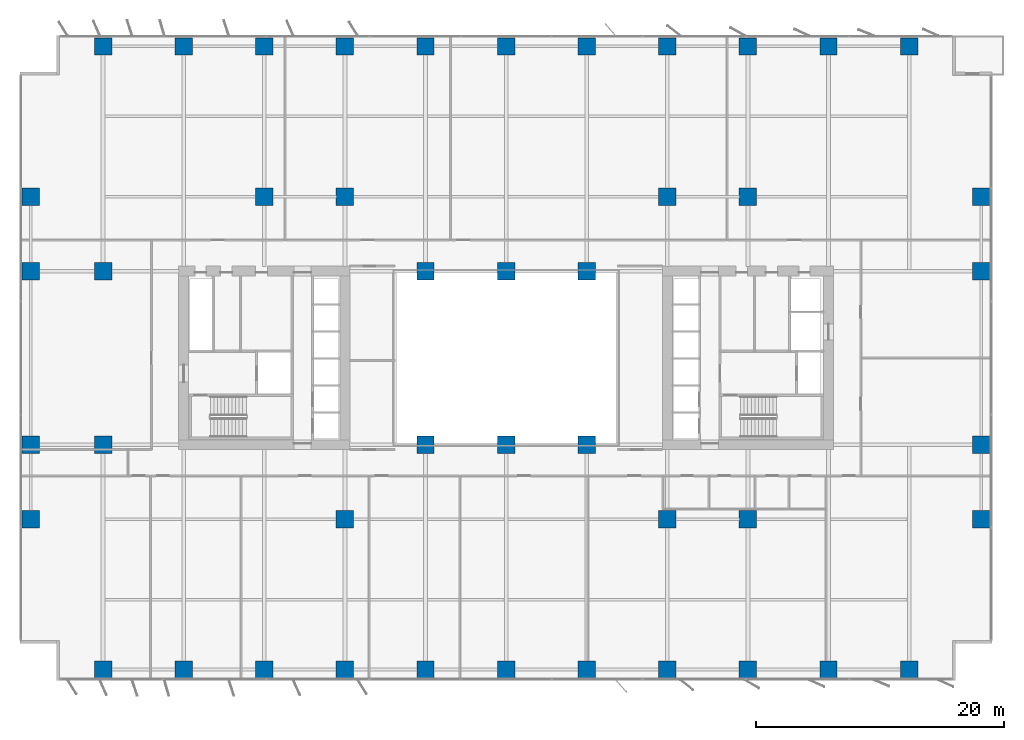
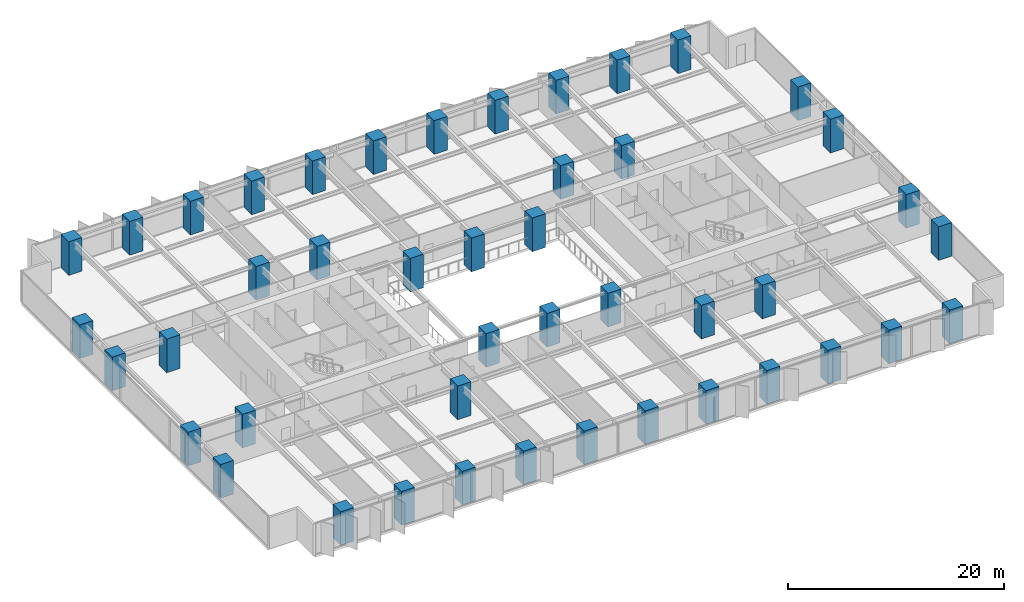
# One storey, part 1 of 20: 45 columns.
"""IFC4 building model written with IfcOpenShell, lengths in metres."""

from ifc_helpers import new_model, si_unit, direction, frame, origin, origin_2d, place, context, subcontext, project, spatial, rectangle, extrude, material, material_profile, profile_set, type_object, element, save


model = new_model("IFC4")

# Units and contexts
model_context = context("Model", 3, precision=1e-05, world=origin(), true_north=direction((0.0, 1.0)))
body_context = subcontext(model_context, "Body", "Model", "MODEL_VIEW")
ifc_project = project(units=[si_unit("LENGTHUNIT", "METRE"), si_unit("AREAUNIT", "SQUARE_METRE"), si_unit("VOLUMEUNIT", "CUBIC_METRE"), si_unit("PLANEANGLEUNIT", "RADIAN"), si_unit("MASSUNIT", "GRAM", prefix="KILO")], contexts=[model_context])

# Site, building, storey
site_placement = place(None, origin())
site = spatial("IfcSite", under=ifc_project, at=site_placement, CompositionType="ELEMENT")
building_placement = place(site_placement, origin())
building = spatial("IfcBuilding", under=site, at=building_placement, Name="Putna Gate Headquarters", CompositionType="ELEMENT")
storey_placement = place(building_placement, frame((0.0, 0.0, 69.60009765625)))
storey = spatial("IfcBuildingStorey", under=building, at=storey_placement, Name="L16", CompositionType="ELEMENT", Elevation=69.60009765625)

# Columns
ifc_material = material(Name="Concrete C60/75", Category="concrete")
ifc_material_profile_1 = material_profile(ifc_material, rectangle(XDim=1.39990234375, YDim=1.39990234375, at=origin_2d()), Name="Concrete C60/75")
ifc_profile_set_1 = profile_set([ifc_material_profile_1], Name="Concrete C60/75")
column_type_1 = type_object("IfcColumnType", Name="COL-RC1400-EXT", PredefinedType="COLUMN", material=ifc_profile_set_1)
for number, where, z_axis, x_axis, name in (
    (1, (6.5, 0.8798828125, 0.0), (0.0, 0.0, 1.0), (1.0, 0.0, 0.0), "L16 Column CP-S6"),
    (2, (6.5, 51.1201171875, 0.0), (0.0, 0.0, 1.0), (1.0, 0.0, 0.0), "L16 Column CP-N6"),
    (3, (13.0, 0.8798828125, 0.0), (0.0, 0.0, 1.0), (1.0, 0.0, 0.0), "L16 Column CP-S13"),
    (4, (13.0, 51.1201171875, 0.0), (0.0, 0.0, 1.0), (1.0, 0.0, 0.0), "L16 Column CP-N13"),
    (5, (19.5, 0.8798828125, 0.0), (0.0, 0.0, 1.0), (1.0, 0.0, 0.0), "L16 Column CP-S19"),
    (6, (19.5, 51.1201171875, 0.0), (0.0, 0.0, 1.0), (1.0, 0.0, 0.0), "L16 Column CP-N19"),
    (7, (26.0, 0.8798828125, 0.0), (0.0, 0.0, 1.0), (1.0, 0.0, 0.0), "L16 Column CP-S26"),
    (8, (26.0, 51.1201171875, 0.0), (0.0, 0.0, 1.0), (1.0, 0.0, 0.0), "L16 Column CP-N26"),
    (9, (32.5, 0.8798828125, 0.0), (0.0, 0.0, 1.0), (1.0, 0.0, 0.0), "L16 Column CP-S32"),
    (10, (32.5, 51.1201171875, 0.0), (0.0, 0.0, 1.0), (1.0, 0.0, 0.0), "L16 Column CP-N32"),
    (11, (39.0, 0.8798828125, 0.0), (0.0, 0.0, 1.0), (1.0, 0.0, 0.0), "L16 Column CP-S39"),
    (12, (39.0, 51.1201171875, 0.0), (0.0, 0.0, 1.0), (1.0, 0.0, 0.0), "L16 Column CP-N39"),
    (13, (45.5, 0.8798828125, 0.0), (0.0, 0.0, 1.0), (1.0, 0.0, 0.0), "L16 Column CP-S45"),
    (14, (45.5, 51.1201171875, 0.0), (0.0, 0.0, 1.0), (1.0, 0.0, 0.0), "L16 Column CP-N45"),
    (15, (52.0, 0.8798828125, 0.0), (0.0, 0.0, 1.0), (1.0, 0.0, 0.0), "L16 Column CP-S52"),
    (16, (52.0, 51.1201171875, 0.0), (0.0, 0.0, 1.0), (1.0, 0.0, 0.0), "L16 Column CP-N52"),
    (17, (58.5, 0.8798828125, 0.0), (0.0, 0.0, 1.0), (1.0, 0.0, 0.0), "L16 Column CP-S58"),
    (18, (58.5, 51.1201171875, 0.0), (0.0, 0.0, 1.0), (1.0, 0.0, 0.0), "L16 Column CP-N58"),
    (19, (65.0, 0.8798828125, 0.0), (0.0, 0.0, 1.0), (1.0, 0.0, 0.0), "L16 Column CP-S65"),
    (20, (65.0, 51.1201171875, 0.0), (0.0, 0.0, 1.0), (1.0, 0.0, 0.0), "L16 Column CP-N65"),
    (21, (71.5, 0.8798828125, 0.0), (0.0, 0.0, 1.0), (1.0, 0.0, 0.0), "L16 Column CP-S71"),
    (22, (71.5, 51.1201171875, 0.0), (0.0, 0.0, 1.0), (1.0, 0.0, 0.0), "L16 Column CP-N71"),
    (23, (0.679931640625, 13.0, 0.0), (0.0, 0.0, 1.0), (1.0, 0.0, 0.0), "L16 Column CP-W13"),
    (24, (77.320068359375, 13.0, 0.0), (0.0, 0.0, 1.0), (1.0, 0.0, 0.0), "L16 Column CP-E13"),
    (25, (0.679931640625, 19.0, 0.0), (0.0, 0.0, 1.0), (1.0, 0.0, 0.0), "L16 Column CP-W19"),
    (26, (77.320068359375, 19.0, 0.0), (0.0, 0.0, 1.0), (1.0, 0.0, 0.0), "L16 Column CP-E19"),
    (27, (0.679931640625, 33.0, 0.0), (0.0, 0.0, 1.0), (1.0, 0.0, 0.0), "L16 Column CP-W33"),
    (28, (77.320068359375, 33.0, 0.0), (0.0, 0.0, 1.0), (1.0, 0.0, 0.0), "L16 Column CP-E33"),
    (29, (0.679931640625, 39.0, 0.0), (0.0, 0.0, 1.0), (1.0, 0.0, 0.0), "L16 Column CP-W39"),
    (30, (77.320068359375, 39.0, 0.0), (0.0, 0.0, 1.0), (1.0, 0.0, 0.0), "L16 Column CP-E39"),
):
    element("IfcColumn", number, at=place(storey_placement, frame(where, z_axis=z_axis, x_axis=x_axis)), inside=storey, type_object=column_type_1, Name=name, PredefinedType="COLUMN", context=body_context, shape_type="SweptSolid", body=[
        extrude(rectangle(XDim=1.39990234375, YDim=1.39990234375, at=origin_2d()), origin(), (0.0, 0.0, 1.0), 3.7998046875),
    ])
ifc_material_profile_2 = material_profile(ifc_material, rectangle(XDim=1.39990234375, YDim=1.39990234375, at=origin_2d()), Name="Concrete C60/75")
ifc_profile_set_2 = profile_set([ifc_material_profile_2], Name="Concrete C60/75")
column_type_2 = type_object("IfcColumnType", Name="COL-RC1400-INT", PredefinedType="COLUMN", material=ifc_profile_set_2)
for number, where, z_axis, x_axis, name in (
    (31, (19.5, 39.0, 0.0), (0.0, 0.0, 1.0), (1.0, 0.0, 0.0), "L16 Column CSI-WN"),
    (32, (58.5, 13.0, 0.0), (0.0, 0.0, 1.0), (1.0, 0.0, 0.0), "L16 Column CSI-ES"),
    (33, (58.5, 39.0, 0.0), (0.0, 0.0, 1.0), (1.0, 0.0, 0.0), "L16 Column CSI-EN"),
    (34, (6.5, 19.0, 0.0), (0.0, 0.0, 1.0), (1.0, 0.0, 0.0), "L16 Column CSI-WM"),
    (35, (6.5, 33.0, 0.0), (0.0, 0.0, 1.0), (1.0, 0.0, 0.0), "L16 Column CSI-WNW"),
    (36, (32.5, 19.0, 0.0), (0.0, 0.0, 1.0), (1.0, 0.0, 0.0), "L16 Column CAI-S32"),
    (37, (32.5, 33.0, 0.0), (0.0, 0.0, 1.0), (1.0, 0.0, 0.0), "L16 Column CAI-N32"),
    (38, (39.0, 19.0, 0.0), (0.0, 0.0, 1.0), (1.0, 0.0, 0.0), "L16 Column CAI-S39"),
    (39, (39.0, 33.0, 0.0), (0.0, 0.0, 1.0), (1.0, 0.0, 0.0), "L16 Column CAI-N39"),
    (40, (45.5, 19.0, 0.0), (0.0, 0.0, 1.0), (1.0, 0.0, 0.0), "L16 Column CAI-S45"),
    (41, (45.5, 33.0, 0.0), (0.0, 0.0, 1.0), (1.0, 0.0, 0.0), "L16 Column CAI-N45"),
    (42, (26.0, 13.0, 0.0), (0.0, 0.0, 1.0), (1.0, 0.0, 0.0), "L16 Column CAP-WS"),
    (43, (26.0, 39.0, 0.0), (0.0, 0.0, 1.0), (1.0, 0.0, 0.0), "L16 Column CAP-WN"),
    (44, (52.0, 13.0, 0.0), (0.0, 0.0, 1.0), (1.0, 0.0, 0.0), "L16 Column CAP-ES"),
    (45, (52.0, 39.0, 0.0), (0.0, 0.0, 1.0), (1.0, 0.0, 0.0), "L16 Column CAP-EN"),
):
    element("IfcColumn", number, at=place(storey_placement, frame(where, z_axis=z_axis, x_axis=x_axis)), inside=storey, type_object=column_type_2, Name=name, PredefinedType="COLUMN", context=body_context, shape_type="SweptSolid", body=[
        extrude(rectangle(XDim=1.39990234375, YDim=1.39990234375, at=origin_2d()), origin(), (0.0, 0.0, 1.0), 3.7998046875),
    ])

save(model, "model.ifc")
